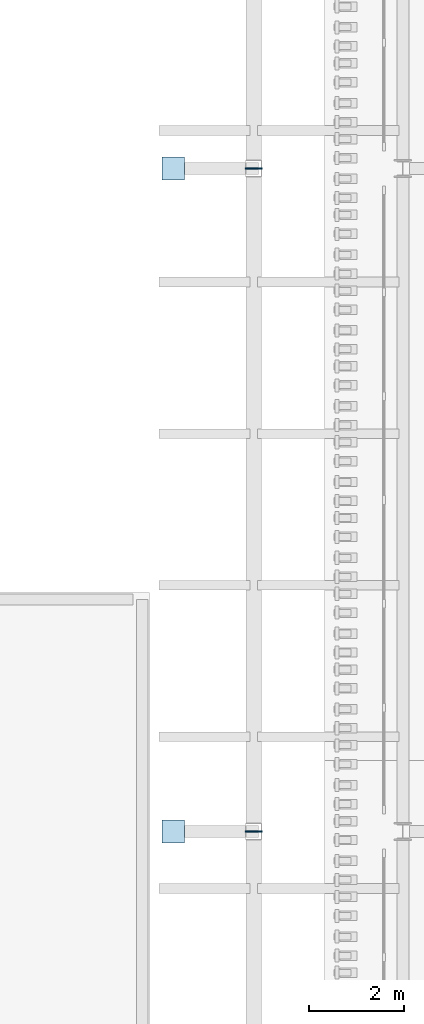
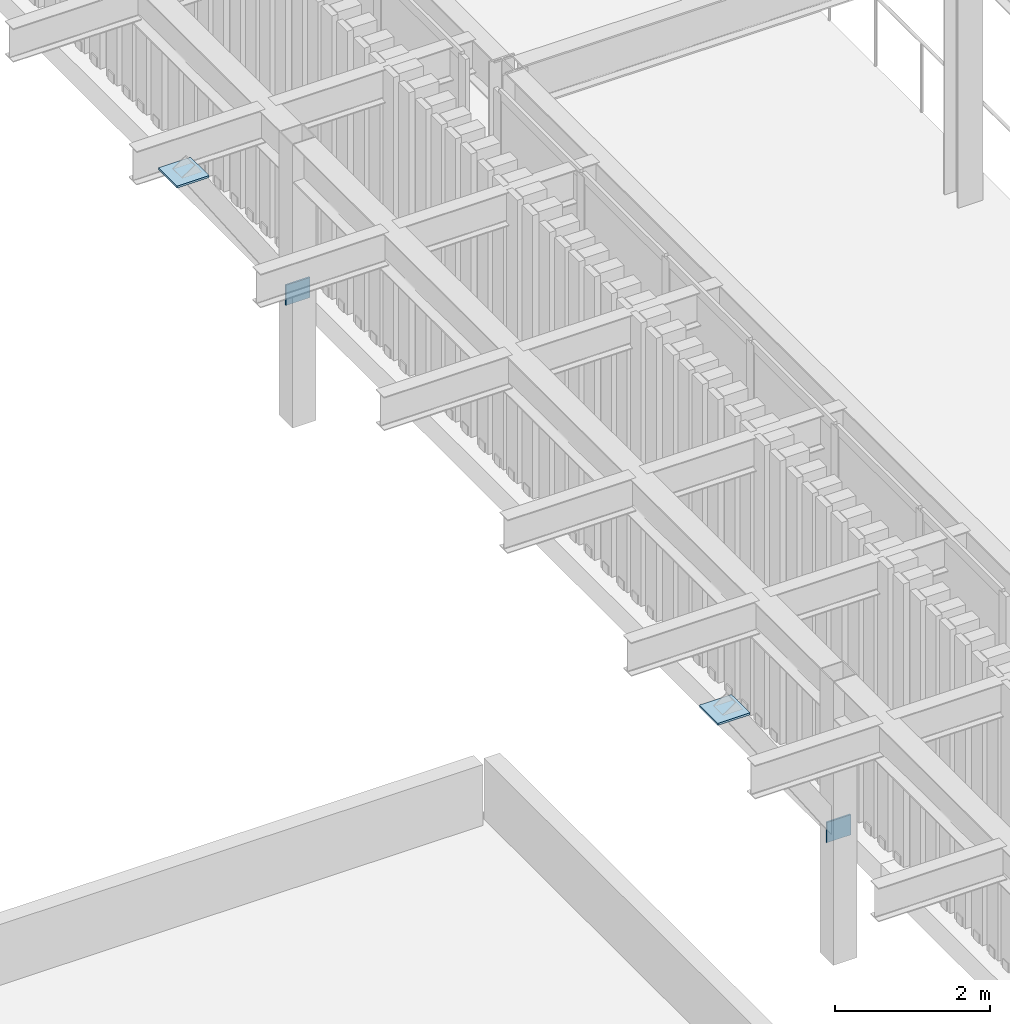
# One storey, part 84 of 126: 4 plates.
"""IFC4 building model written with IfcOpenShell, lengths in metres."""

from ifc_helpers import new_model, si_unit, derived_unit, direction, frame, origin, origin_2d, place, context, subcontext, project, spatial, rectangle, extrude, material, layer, layer_set, type_object, element, save


model = new_model("IFC4")

# Units and contexts
model_context = context("Model", 3, precision=1e-05, world=origin(), true_north=direction((0.0, 1.0)))
body_context = subcontext(model_context, "Body", "Model", "MODEL_VIEW")
ifc_project = project(units=[si_unit("LENGTHUNIT", "METRE"), si_unit("AREAUNIT", "SQUARE_METRE"), si_unit("VOLUMEUNIT", "CUBIC_METRE"), si_unit("PLANEANGLEUNIT", "RADIAN"), si_unit("MASSUNIT", "GRAM", prefix="KILO"), derived_unit("THERMALTRANSMITTANCEUNIT", [(si_unit("MASSUNIT", "GRAM", prefix="KILO"), 1), (si_unit("TIMEUNIT", "SECOND"), -3), (si_unit("THERMODYNAMICTEMPERATUREUNIT", "KELVIN"), -1)])], contexts=[model_context])

# Site, building, storey
site_placement = place(None, origin())
site = spatial("IfcSite", under=ifc_project, at=site_placement, CompositionType="ELEMENT")
building_placement = place(site_placement, origin())
building = spatial("IfcBuilding", under=site, at=building_placement, Name="Valcora Ridge Arena", CompositionType="ELEMENT")
storey_placement = place(building_placement, frame((0.0, 0.0, 11.39990234375)))
storey = spatial("IfcBuildingStorey", under=building, at=storey_placement, Name="L02", CompositionType="ELEMENT", Elevation=11.39990234375)

# Plates
ifc_material = material(Name="Steel ASTM A572 Grade 50", Category="steel")
ifc_layer_1 = layer(ifc_material, 0.031982421875, Name="Steel ASTM A572 Grade 50")
ifc_layer_set_1 = layer_set([ifc_layer_1], Name="Steel ASTM A572 Grade 50")
plate_type_1 = type_object("IfcPlateType", Name="TY-PLATE-PL-CAP-450", PredefinedType="USERDEFINED", material=ifc_layer_set_1)
for number, where, z_axis, x_axis, name in (
    (1, (132.35009765625, 40.0, 4.4482421875), (0.0, 0.0, 1.0), (1.0, 0.0, 0.0), "PL-CAP-450 KB-GP-0007"),
    (2, (132.35009765625, 54.0, 4.4482421875), (0.0, 0.0, 1.0), (1.0, 0.0, 0.0), "PL-CAP-450 KB-GP-0009"),
):
    element("IfcPlate", number, at=place(storey_placement, frame(where, z_axis=z_axis, x_axis=x_axis)), inside=storey, type_object=plate_type_1, Name=name, ObjectType="GUSSET_PLATE", PredefinedType="USERDEFINED", context=body_context, shape_type="SweptSolid", body=[
        extrude(rectangle(XDim=0.47998046875, YDim=0.47998046875, at=origin_2d()), origin(), (0.0, 0.0, 1.0), 0.031982421875),
    ])
ifc_layer_2 = layer(ifc_material, 0.02490234375, Name="Steel ASTM A572 Grade 50")
ifc_layer_set_2 = layer_set([ifc_layer_2], Name="Steel ASTM A572 Grade 50")
plate_type_2 = type_object("IfcPlateType", Name="TY-PLATE-PL-GUS-25E", PredefinedType="USERDEFINED", material=ifc_layer_set_2)
for number, where, z_axis, x_axis, name in (
    (3, (134.050048828125, 40.0, 1.83984375), (0.0, 0.0, 1.0), (1.0, 0.0, 0.0), "PL-GUS-25E KB-GP-0025"),
    (4, (134.050048828125, 54.0, 1.83984375), (0.0, 0.0, 1.0), (1.0, 0.0, 0.0), "PL-GUS-25E KB-GP-0027"),
):
    element("IfcPlate", number, at=place(storey_placement, frame(where, z_axis=z_axis, x_axis=x_axis)), inside=storey, type_object=plate_type_2, Name=name, ObjectType="GUSSET_PLATE", PredefinedType="USERDEFINED", context=body_context, shape_type="SweptSolid", body=[
        extrude(rectangle(XDim=0.360107421875, YDim=0.02490234375, at=origin_2d()), origin(), (0.0, 0.0, 1.0), 0.320068359375),
    ])

save(model, "model.ifc")
